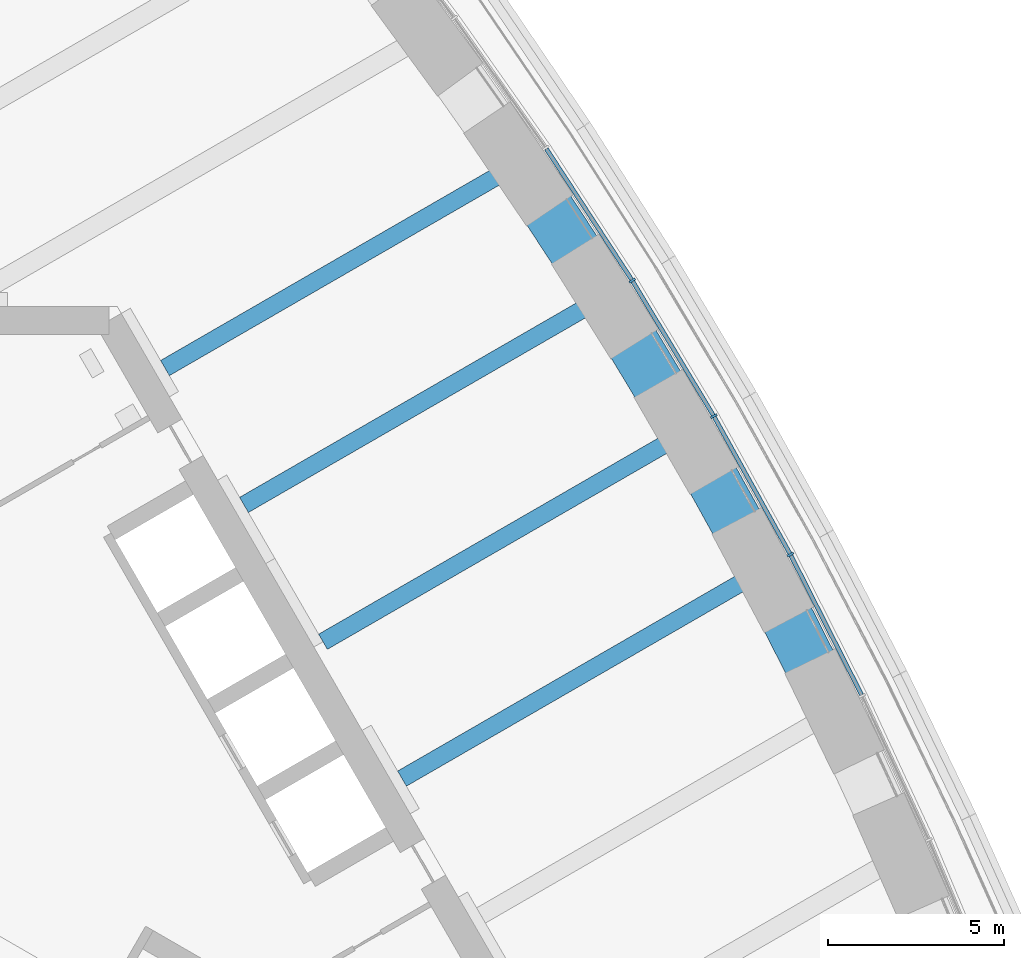
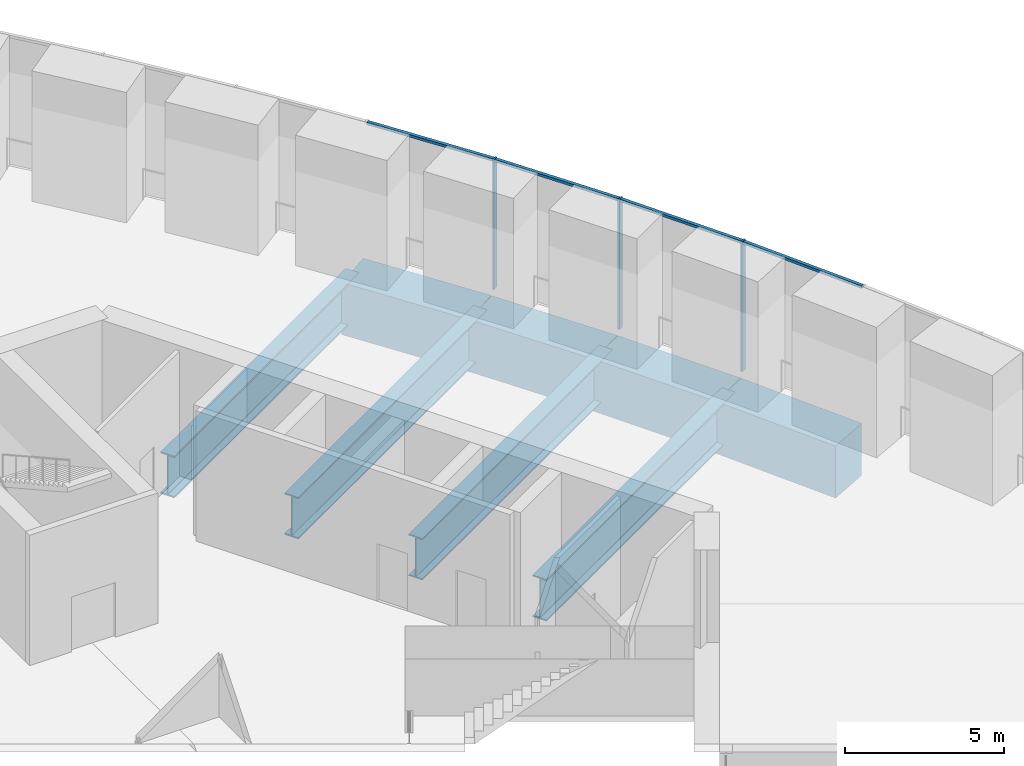
# One storey, part 8 of 33: 8 beams, 7 members, 1 element without a shape of its own.
"""IFC4 building model written with IfcOpenShell, lengths in metres."""

from ifc_helpers import new_model, si_unit, direction, frame, origin, origin_2d, place, context, subcontext, project, spatial, rectangle, i_section, extrude, material, material_profile, profile_set, type_object, element, aggregate, save


model = new_model("IFC4")

# Units and contexts
model_context = context("Model", 3, precision=1e-05, world=origin(), true_north=direction((0.0, 1.0)))
body_context = subcontext(model_context, "Body", "Model", "MODEL_VIEW")
ifc_project = project(units=[si_unit("LENGTHUNIT", "METRE"), si_unit("AREAUNIT", "SQUARE_METRE"), si_unit("VOLUMEUNIT", "CUBIC_METRE"), si_unit("PLANEANGLEUNIT", "RADIAN"), si_unit("MASSUNIT", "GRAM", prefix="KILO")], contexts=[model_context])

# Site, building, storey
site_placement = place(None, origin())
site = spatial("IfcSite", under=ifc_project, at=site_placement, CompositionType="ELEMENT")
building_placement = place(site_placement, origin())
building = spatial("IfcBuilding", under=site, at=building_placement, Name="Trefoil Bronze Tower", CompositionType="ELEMENT")
storey_placement = place(building_placement, frame((0.0, 0.0, 98.10009765625)))
storey = spatial("IfcBuildingStorey", under=building, at=storey_placement, Name="L22", CompositionType="ELEMENT", Elevation=98.10009765625)

# Curtain wall, members
ifc_material_1 = material(Name="Tinted solar-control glass", Category="glass")
curtain_wall_type = type_object("IfcCurtainWallType", Name="Bronze sky lobby curtain wall", PredefinedType="USERDEFINED", material=ifc_material_1)
curtain_wall_placement = place(storey_placement, origin())
curtain_wall = element("IfcCurtainWall", 1, at=curtain_wall_placement, inside=storey, type_object=curtain_wall_type, Name="CW-D L22 F2", ObjectType="CURTAIN WALL", PredefinedType="USERDEFINED")
ifc_material_2 = material(Name="Bronze-finish aluminium", Category="aluminium")
ifc_material_profile_1 = material_profile(ifc_material_2, rectangle(XDim=0.199951171875, YDim=0.06005859375, at=origin_2d()), Name="CW-D mullion")
ifc_profile_set_1 = profile_set([ifc_material_profile_1], Name="Bronze-finish aluminium")
member_type_1 = type_object("IfcMemberType", Name="Bronze sky lobby curtain wall mullion", PredefinedType="MULLION", material=ifc_profile_set_1)
member_1_placement = place(storey_placement, frame((25.17431640625, 9.333984375, 0.0), z_axis=(0.0, 0.0, 1.0), x_axis=(-0.883486441467, -0.468456729853, 0.0)))
member_1 = element("IfcMember", 2, at=member_1_placement, type_object=member_type_1, Name="CW-D L22 F2 mullion 7", PredefinedType="MULLION", context=body_context, shape_type="SweptSolid", body=[
    extrude(rectangle(XDim=0.199951171875, YDim=0.06005859375, at=origin_2d()), origin(), (0.0, 0.0, 1.0), 4.97998046875),
])
member_2_placement = place(storey_placement, frame((22.99267578125, 13.27490234375, 0.0), z_axis=(0.0, 0.0, 1.0), x_axis=(-0.866025403784, -0.5, 0.0)))
member_2 = element("IfcMember", 3, at=member_2_placement, type_object=member_type_1, Name="CW-D L22 F2 mullion 8", PredefinedType="MULLION", context=body_context, shape_type="SweptSolid", body=[
    extrude(rectangle(XDim=0.199951171875, YDim=0.06005859375, at=origin_2d()), origin(), (0.0, 0.0, 1.0), 4.97998046875),
])
member_3_placement = place(storey_placement, frame((20.670654296875, 17.134521484375, 0.0), z_axis=(0.0, 0.0, 1.0), x_axis=(-0.84743864936, -0.530893337283, 0.0)))
member_3 = element("IfcMember", 4, at=member_3_placement, type_object=member_type_1, Name="CW-D L22 F2 mullion 9", PredefinedType="MULLION", context=body_context, shape_type="SweptSolid", body=[
    extrude(rectangle(XDim=0.199951171875, YDim=0.06005859375, at=origin_2d()), origin(), (0.0, 0.0, 1.0), 4.97998046875),
])
ifc_material_3 = material(Name="Bronze-finish aluminium", Category="aluminium")
ifc_material_profile_2 = material_profile(ifc_material_3, rectangle(XDim=0.1201171875, YDim=0.10009765625, at=origin_2d()), Name="CW-D transom")
ifc_profile_set_2 = profile_set([ifc_material_profile_2], Name="Bronze-finish aluminium")
member_type_2 = type_object("IfcMemberType", Name="Bronze sky lobby curtain wall transom", PredefinedType="USERDEFINED", material=ifc_profile_set_2)
member_4_placement = place(storey_placement, frame((27.200439453125, 5.34033203125, 4.929931640625), z_axis=(-0.452433098104, 0.891798347016, 0.0), x_axis=(-0.891798347016, -0.452433098104, 0.0)))
member_4 = element("IfcMember", 5, at=member_4_placement, type_object=member_type_2, Name="CW-D L22 F2 transom 6", ObjectType="TRANSOM", PredefinedType="USERDEFINED", context=body_context, shape_type="SweptSolid", body=[
    extrude(rectangle(XDim=0.1201171875, YDim=0.10009765625, at=origin_2d()), origin(), (0.0, 0.0, 1.0), 4.446533203125),
])
member_5_placement = place(storey_placement, frame((25.15869140625, 9.36181640625, 4.929931640625), z_axis=(-0.484293339156, 0.874905687288, 0.0), x_axis=(-0.874905687288, -0.484293339156, 0.0)))
member_5 = element("IfcMember", 6, at=member_5_placement, type_object=member_type_2, Name="CW-D L22 F2 transom 7", ObjectType="TRANSOM", PredefinedType="USERDEFINED", context=body_context, shape_type="SweptSolid", body=[
    extrude(rectangle(XDim=0.1201171875, YDim=0.10009765625, at=origin_2d()), origin(), (0.0, 0.0, 1.0), 4.440673828125),
])
member_6_placement = place(storey_placement, frame((22.976318359375, 13.302001953125, 4.929931640625), z_axis=(-0.515522168559, 0.856876241779, 0.0), x_axis=(-0.856876241779, -0.515522168559, 0.0)))
member_6 = element("IfcMember", 7, at=member_6_placement, type_object=member_type_2, Name="CW-D L22 F2 transom 8", ObjectType="TRANSOM", PredefinedType="USERDEFINED", context=body_context, shape_type="SweptSolid", body=[
    extrude(rectangle(XDim=0.1201171875, YDim=0.10009765625, at=origin_2d()), origin(), (0.0, 0.0, 1.0), 4.440673828125),
])
member_7_placement = place(storey_placement, frame((20.6533203125, 17.1611328125, 4.929931640625), z_axis=(-0.546080188599, 0.837732909476, 0.0), x_axis=(-0.837732909476, -0.546080188599, 0.0)))
member_7 = element("IfcMember", 8, at=member_7_placement, type_object=member_type_2, Name="CW-D L22 F2 transom 9", ObjectType="TRANSOM", PredefinedType="USERDEFINED", context=body_context, shape_type="SweptSolid", body=[
    extrude(rectangle(XDim=0.1201171875, YDim=0.10009765625, at=origin_2d()), origin(), (0.0, 0.0, 1.0), 4.446533203125),
])
aggregate(curtain_wall, [member_1, member_2, member_3, member_4, member_5, member_6, member_7])

# Beams
ifc_material_4 = material(Name="Steel C355", Category="steel")
ifc_material_profile_3 = material_profile(ifc_material_4, i_section(OverallWidth=0.5, OverallDepth=1.60009765625, WebThickness=0.02587890625, FlangeThickness=0.050048828125, FilletRadius=0.011962890625, at=origin_2d()), Name="WPG 1600")
ifc_profile_set_3 = profile_set([ifc_material_profile_3], Name="Steel C355")
beam_type_1 = type_object("IfcBeamType", Name="Floor beam WPG 1600", PredefinedType="BEAM", material=ifc_profile_set_3)
beam_1_placement = place(storey_placement, frame((24.392578125, 8.886962890625, -1.0), z_axis=(-0.866024236736, -0.500002021381, 0.0), x_axis=(0.500002021381, -0.866024236736, 0.0)))
element("IfcBeam", 9, at=beam_1_placement, inside=storey, type_object=beam_type_1, Name="Floor beam F2/-1 L22", PredefinedType="BEAM", context=body_context, shape_type="SweptSolid", body=[
    extrude(i_section(OverallWidth=0.5, OverallDepth=1.60009765625, WebThickness=0.02587890625, FlangeThickness=0.050048828125, FilletRadius=0.011962890625, at=origin_2d()), origin(), (0.0, 0.0, 1.0), 11.8681640625),
])
beam_2_placement = place(storey_placement, frame((22.21337890625, 12.824951171875, -1.0), z_axis=(-0.866028062731, -0.499995394541, 0.0), x_axis=(0.499995394541, -0.866028062731, 0.0)))
element("IfcBeam", 10, at=beam_2_placement, inside=storey, type_object=beam_type_1, Name="Floor beam F2/+0 L22", PredefinedType="BEAM", context=body_context, shape_type="SweptSolid", body=[
    extrude(i_section(OverallWidth=0.5, OverallDepth=1.60009765625, WebThickness=0.02587890625, FlangeThickness=0.050048828125, FilletRadius=0.011962890625, at=origin_2d()), origin(), (0.0, 0.0, 1.0), 11.94970703125),
])
beam_3_placement = place(storey_placement, frame((19.892578125, 16.68115234375, -1.0), z_axis=(-0.866024236736, -0.500002021381, 0.0), x_axis=(0.500002021381, -0.866024236736, 0.0)))
element("IfcBeam", 11, at=beam_3_placement, inside=storey, type_object=beam_type_1, Name="Floor beam F2/+1 L22", PredefinedType="BEAM", context=body_context, shape_type="SweptSolid", body=[
    extrude(i_section(OverallWidth=0.5, OverallDepth=1.60009765625, WebThickness=0.02587890625, FlangeThickness=0.050048828125, FilletRadius=0.011962890625, at=origin_2d()), origin(), (0.0, 0.0, 1.0), 11.8681640625),
])
beam_4_placement = place(storey_placement, frame((17.43017578125, 20.45556640625, -1.0), z_axis=(-0.866030626868, -0.499990953245, 0.0), x_axis=(0.499990953245, -0.866030626868, 0.0)))
element("IfcBeam", 12, at=beam_4_placement, inside=storey, type_object=beam_type_1, Name="Floor beam F2/+2 L22", PredefinedType="BEAM", context=body_context, shape_type="SweptSolid", body=[
    extrude(i_section(OverallWidth=0.5, OverallDepth=1.60009765625, WebThickness=0.02587890625, FlangeThickness=0.050048828125, FilletRadius=0.011962890625, at=origin_2d()), origin(), (0.0, 0.0, 1.0), 11.622802734375),
])
ifc_material_5 = material(Name="Concrete B80", Category="concrete")
ifc_material_profile_4 = material_profile(ifc_material_5, rectangle(XDim=1.5, YDim=2.0, at=origin_2d()), Name="RC 1500x2000")
ifc_profile_set_4 = profile_set([ifc_material_profile_4], Name="Concrete B80")
beam_type_2 = type_object("IfcBeamType", Name="Spandrel beam RC 1500x2000", PredefinedType="SPANDREL", material=ifc_profile_set_4)
beam_5_placement = place(storey_placement, frame((26.43017578125, 4.8671875, -1.2001953125), z_axis=(-0.452125717735, 0.891954222683, 0.0), x_axis=(-0.891954222683, -0.452125717735, 0.0)))
element("IfcBeam", 13, at=beam_5_placement, inside=storey, type_object=beam_type_2, Name="Spandrel F2.6 L22", PredefinedType="SPANDREL", context=body_context, shape_type="SweptSolid", body=[
    extrude(rectangle(XDim=1.5, YDim=2.0, at=origin_2d()), origin(), (0.0, 0.0, 1.0), 4.506591796875),
])
for number, where, z_axis, x_axis, name in (
    (14, (24.392578125, 8.886962890625, -1.2001953125), (-0.484186866546, 0.874964615436, 0.0), (-0.874964615436, -0.484186866546, 0.0), "Spandrel F2.7 L22"),
    (15, (22.21337890625, 12.824951171875, -1.2001953125), (-0.515651979972, 0.856798129988, 0.0), (-0.856798129988, -0.515651979972, 0.0), "Spandrel F2.8 L22"),
):
    element("IfcBeam", number, at=place(storey_placement, frame(where, z_axis=z_axis, x_axis=x_axis)), inside=storey, type_object=beam_type_2, Name=name, PredefinedType="SPANDREL", context=body_context, shape_type="SweptSolid", body=[
        extrude(rectangle(XDim=1.5, YDim=2.0, at=origin_2d()), origin(), (0.0, 0.0, 1.0), 4.500732421875),
    ])
beam_6_placement = place(storey_placement, frame((19.892578125, 16.68115234375, -1.2001953125), z_axis=(-0.546396670296, 0.83752652417, 0.0), x_axis=(-0.83752652417, -0.546396670296, 0.0)))
element("IfcBeam", 16, at=beam_6_placement, inside=storey, type_object=beam_type_2, Name="Spandrel F2.9 L22", PredefinedType="SPANDREL", context=body_context, shape_type="SweptSolid", body=[
    extrude(rectangle(XDim=1.5, YDim=2.0, at=origin_2d()), origin(), (0.0, 0.0, 1.0), 4.506591796875),
])

save(model, "model.ifc")
